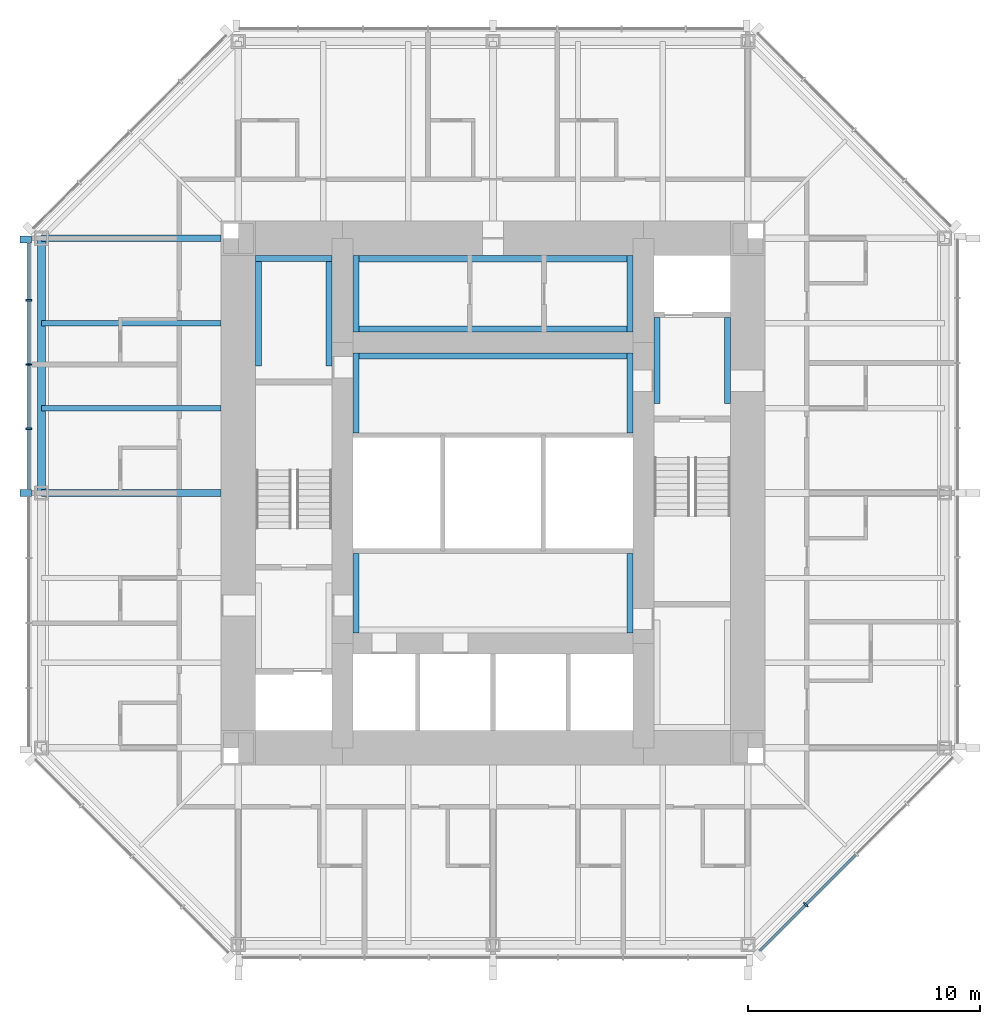
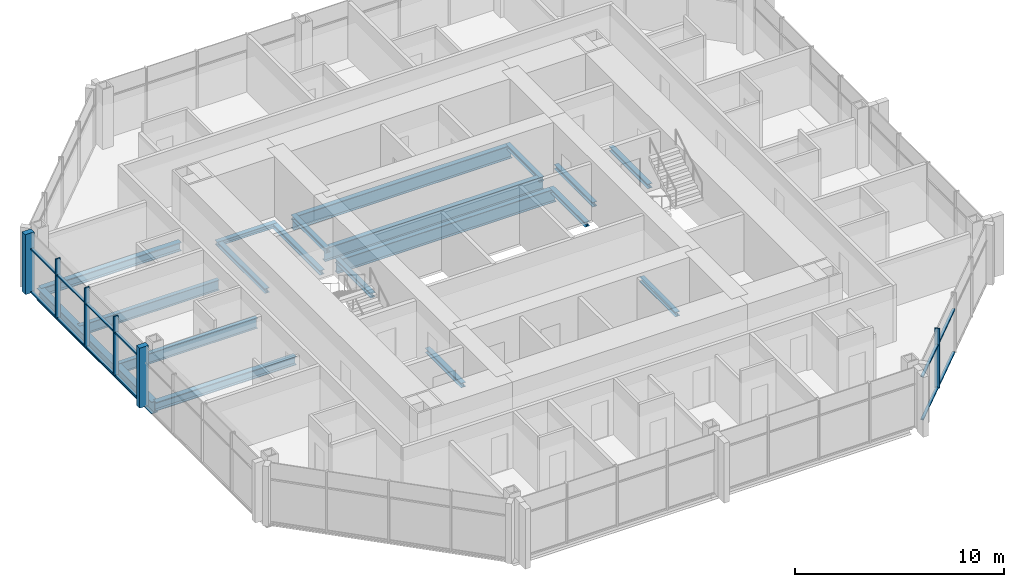
# One storey, part 3 of 12: 19 beams, 18 members, 2 elements without a shape of their own.
"""IFC4 building model written with IfcOpenShell, lengths in metres."""

import ifcopenshell
import ifcopenshell.guid

model = None  # the IFC model being written
_history = None  # IfcOwnerHistory: only IFC2X3 demands one
_inside = {}  # id of a spatial element -> (the spatial element, [elements in it])
_under = {}  # id of a project, library or spatial element -> (it, [spatial elements below it])
_declared = {}  # id of a project -> (the project, [libraries it declares])
_typed = {}  # id of a type object -> (the type object, [elements of that type])
_made_of = {}  # id of a material, layer set ... -> (it, [elements and type objects made of it])


def new_model(schema):
    """Start an empty IFC model of exactly this schema.

    Asked for "IFC4X3", IfcOpenShell would pick the latest addendum, in which some entities
    have other attributes; the version numbers below select the first issue.
    IFC2X3 requires an IfcOwnerHistory on every rooted entity: one is made here for all.
    """
    global model, _history
    if schema == "IFC4X3":
        model = ifcopenshell.file(schema_version=(4, 3, 0, 0))
    else:
        model = ifcopenshell.file(schema=schema)
    _inside.clear()
    _under.clear()
    _declared.clear()
    _typed.clear()
    _made_of.clear()
    _history = None
    if model.schema == "IFC2X3":
        org = make("IfcOrganization", Name="unknown")
        user = make(
            "IfcPersonAndOrganization",
            ThePerson=make("IfcPerson", FamilyName="unknown"),
            TheOrganization=org,
        )
        app = make(
            "IfcApplication",
            ApplicationDeveloper=org,
            Version="unknown",
            ApplicationFullName="unknown",
            ApplicationIdentifier="unknown",
        )
        _history = make(
            "IfcOwnerHistory",
            OwningUser=user,
            OwningApplication=app,
            ChangeAction="ADDED",
            CreationDate=0,
        )
    return model


def make(cls, **values):
    """One entity of the class cls with the attributes given. An attribute that is None is left unset."""
    return model.create_entity(
        cls, **{name: value for name, value in values.items() if value is not None}
    )


def rooted(cls, **values):
    """An entity with a GlobalId (a new one), such as an element, a storey or a relation."""
    return make(cls, GlobalId=ifcopenshell.guid.new(), OwnerHistory=_history, **values)


def si_unit(unit_type, name, prefix=None):
    """IfcSIUnit, for example si_unit("LENGTHUNIT", "METRE", prefix="MILLI")."""
    return make("IfcSIUnit", UnitType=unit_type, Prefix=prefix, Name=name)


def assignment(units):
    """IfcUnitAssignment: the units of a project."""
    return None if units is None else make("IfcUnitAssignment", Units=units)


def point(xyz):
    """IfcCartesianPoint."""
    return None if xyz is None else make("IfcCartesianPoint", Coordinates=xyz)


def direction(xyz):
    """IfcDirection."""
    return None if xyz is None else make("IfcDirection", DirectionRatios=xyz)


def frame(location, z_axis=None, x_axis=None):
    """IfcAxis2Placement3D, a coordinate frame: its origin and axes. An axis left out is left unset."""
    return make(
        "IfcAxis2Placement3D",
        Location=point(location),
        Axis=direction(z_axis),
        RefDirection=direction(x_axis),
    )


def frame_2d(location, x_axis=None):
    """IfcAxis2Placement2D, a coordinate frame in the plane: its origin and x axis."""
    return make(
        "IfcAxis2Placement2D", Location=point(location), RefDirection=direction(x_axis)
    )


def origin():
    """The frame at (0, 0, 0) with its axes left unset."""
    return frame((0.0, 0.0, 0.0))


def origin_2d():
    """The frame at (0, 0) in the plane with its x axis left unset."""
    return frame_2d((0.0, 0.0))


def place(relative_to, where):
    """IfcLocalPlacement: puts the frame where relative to a parent placement (None: the world)."""
    return make(
        "IfcLocalPlacement", PlacementRelTo=relative_to, RelativePlacement=where
    )


def context(
    kind, dimensions, precision=None, world=None, true_north=None, identifier=None
):
    """IfcGeometricRepresentationContext, for example the 3D "Model" context."""
    return make(
        "IfcGeometricRepresentationContext",
        ContextIdentifier=identifier,
        ContextType=kind,
        CoordinateSpaceDimension=dimensions,
        Precision=precision,
        WorldCoordinateSystem=world,
        TrueNorth=true_north,
    )


def subcontext(parent, identifier, kind, view, scale=None):
    """IfcGeometricRepresentationSubContext, for example "Body" below "Model"."""
    return make(
        "IfcGeometricRepresentationSubContext",
        ContextIdentifier=identifier,
        ContextType=kind,
        ParentContext=parent,
        TargetScale=scale,
        TargetView=view,
    )


def project(units=None, contexts=None):
    """IfcProject with its units and contexts."""
    return rooted(
        "IfcProject",
        Name="project",
        RepresentationContexts=contexts,
        UnitsInContext=assignment(units),
    )


def spatial(cls, under=None, at=None, **own):
    """A site, building, storey or space (cls), placed at a placement, below another one or the project."""
    s = rooted(cls, ObjectPlacement=at, **own)
    if under is not None:
        _under.setdefault(under.id(), (under, []))[1].append(s)
    return s


def profile(cls, at=None, kind="AREA", **sizes):
    """A parametric profile (cls). Its sizes go by their IFC names, for example OverallWidth=200.0."""
    return make(cls, ProfileType=kind, Position=at, **sizes)


def rectangle(**sizes):
    """IfcRectangleProfileDef."""
    return profile("IfcRectangleProfileDef", **sizes)


def i_section(**sizes):
    """IfcIShapeProfileDef."""
    return profile("IfcIShapeProfileDef", **sizes)


def extrude(swept, where, along, depth):
    """IfcExtrudedAreaSolid: the profile swept, set in the frame where, extruded along a direction by depth."""
    return make(
        "IfcExtrudedAreaSolid",
        SweptArea=swept,
        Position=where,
        ExtrudedDirection=direction(along),
        Depth=depth,
    )


def shape(context_of_items, identifier, shape_type, items):
    """IfcShapeRepresentation: the items that make up one representation, for example the "Body"."""
    return make(
        "IfcShapeRepresentation",
        ContextOfItems=context_of_items,
        RepresentationIdentifier=identifier,
        RepresentationType=shape_type,
        Items=items,
    )


def material(Name=None, Category=None):
    """IfcMaterial."""
    return make("IfcMaterial", Name=Name, Category=Category)


def material_profile(
    of_material, cross_section, Name=None, Category=None, Priority=None
):
    """IfcMaterialProfile: a cross section and its material."""
    return make(
        "IfcMaterialProfile",
        Name=Name,
        Material=of_material,
        Profile=cross_section,
        Priority=Priority,
        Category=Category,
    )


def profile_set(profiles, Name=None, composite=None):
    """IfcMaterialProfileSet."""
    return make(
        "IfcMaterialProfileSet",
        Name=Name,
        MaterialProfiles=profiles,
        CompositeProfile=composite,
    )


def made_of(thing, what):
    """Note that an element or type object is made of a material, layer set ...; save() writes the relation."""
    if what is not None:
        _made_of.setdefault(what.id(), (what, []))[1].append(thing)
    return thing


def type_object(cls, material=None, **own):
    """A type object (cls), such as IfcWallType, which elements share."""
    return made_of(rooted(cls, **own), material)


def element(
    cls,
    number,
    at=None,
    inside=None,
    cuts=None,
    type_object=None,
    material=None,
    context=None,
    identifier="Body",
    shape_type=None,
    held_by="IfcProductDefinitionShape",
    body=None,
    shapes=None,
    **own,
):
    """One element of the class cls, such as IfcWall. Its Tag is "e" and its number.

    at: its placement. inside: the storey or other place that contains it. cuts: it is an
    opening in that element (IfcRelVoidsElement). A single representation is given by context,
    identifier, shape_type and body (its items); several are given by shapes. held_by: the class
    of the entity that holds the representations. save() writes the other relations.
    """
    e = rooted(cls, Tag="e%d" % number, ObjectPlacement=at, **own)
    if body is not None:
        shapes = [shape(context, identifier, shape_type, body)]
    if shapes is not None:
        e.Representation = make(held_by, Representations=shapes)
    if inside is not None:
        _inside.setdefault(inside.id(), (inside, []))[1].append(e)
    if cuts is not None:
        rooted(
            "IfcRelVoidsElement", RelatingBuildingElement=cuts, RelatedOpeningElement=e
        )
    if type_object is not None:
        _typed.setdefault(type_object.id(), (type_object, []))[1].append(e)
    return made_of(e, material)


def aggregate(whole, parts):
    """IfcRelAggregates: a whole, such as a stair, and the parts it consists of."""
    return rooted("IfcRelAggregates", RelatingObject=whole, RelatedObjects=parts)


def save(model, path):
    """Write the relations noted so far, then the file.

    IfcRelAggregates (storeys below a building ...), IfcRelContainedInSpatialStructure (elements
    in a storey), IfcRelDefinesByType, IfcRelAssociatesMaterial and IfcRelDeclares: one each for
    every whole, place, type object, material and project.
    """
    for whole, parts in _under.values():
        aggregate(whole, parts)
    for where, things in _inside.values():
        rooted(
            "IfcRelContainedInSpatialStructure",
            RelatedElements=things,
            RelatingStructure=where,
        )
    for kind, things in _typed.values():
        rooted("IfcRelDefinesByType", RelatedObjects=things, RelatingType=kind)
    for what, things in _made_of.values():
        rooted("IfcRelAssociatesMaterial", RelatedObjects=things, RelatingMaterial=what)
    for by, libraries in _declared.values():
        rooted("IfcRelDeclares", RelatingContext=by, RelatedDefinitions=libraries)
    model.write(path)


model = new_model("IFC4")

# Units and contexts
model_context = context("Model", 3, precision=1e-05, world=origin(), true_north=direction((0.0, 1.0)))
body_context = subcontext(model_context, "Body", "Model", "MODEL_VIEW")
ifc_project = project(units=[si_unit("LENGTHUNIT", "METRE"), si_unit("AREAUNIT", "SQUARE_METRE"), si_unit("VOLUMEUNIT", "CUBIC_METRE"), si_unit("PLANEANGLEUNIT", "RADIAN"), si_unit("MASSUNIT", "GRAM", prefix="KILO")], contexts=[model_context])

# Site, building, storey
site_placement = place(None, origin())
site = spatial("IfcSite", under=ifc_project, at=site_placement, CompositionType="ELEMENT")
building_placement = place(site_placement, origin())
building = spatial("IfcBuilding", under=site, at=building_placement, Name="Trevanion Tower", CompositionType="ELEMENT")
storey_placement = place(building_placement, frame((0.0, 0.0, 201.199951171875)))
storey = spatial("IfcBuildingStorey", under=building, at=storey_placement, Name="L47", CompositionType="ELEMENT", Elevation=201.199951171875)

# Beams
ifc_material_1 = material(Name="Steel ASTM A992 Grade 50", Category="steel")
ifc_material_profile_1 = material_profile(ifc_material_1, i_section(OverallWidth=0.228271484375, OverallDepth=0.607177734375, WebThickness=0.01123046875, FlangeThickness=0.017333984375, at=origin_2d()), Name="W24X76")
ifc_profile_set_1 = profile_set([ifc_material_profile_1], Name="Steel ASTM A992 Grade 50")
beam_type_1 = type_object("IfcBeamType", Name="B11 W24X76", PredefinedType="BEAM", material=ifc_profile_set_1)
for number, where, z_axis, x_axis, name in (
    (1, (-11.75, 7.333251953125, -0.493408203125), (-1.0, 0.0, 0.0), (0.0, -1.0, 0.0), "B11 L47"),
    (2, (-11.75, 3.666748046875, -0.493408203125), (-1.0, 0.0, 0.0), (0.0, -1.0, 0.0), "B11 L47"),
):
    element("IfcBeam", number, at=place(storey_placement, frame(where, z_axis=z_axis, x_axis=x_axis)), inside=storey, type_object=beam_type_1, Name=name, PredefinedType="BEAM", context=body_context, shape_type="SweptSolid", body=[
        extrude(i_section(OverallWidth=0.228271484375, OverallDepth=0.607177734375, WebThickness=0.01123046875, FlangeThickness=0.017333984375, at=origin_2d()), origin(), (0.0, 0.0, 1.0), 7.75),
    ])

# Curtain wall, members
ifc_material_2 = material(Name="Aluminium and glass", Category="aluminium")
curtain_wall_type = type_object("IfcCurtainWallType", Name="CW3 curtain wall", PredefinedType="USERDEFINED", material=ifc_material_2)
curtain_wall_1_placement = place(storey_placement, origin())
curtain_wall_1 = element("IfcCurtainWall", 3, at=curtain_wall_1_placement, inside=storey, type_object=curtain_wall_type, Name="CW3 L47 4", ObjectType="UNITISED CURTAIN WALL", PredefinedType="USERDEFINED")
ifc_material_3 = material(Name="Aluminium extrusion, anodised bronze", Category="aluminium")
ifc_material_profile_2 = material_profile(ifc_material_3, rectangle(XDim=0.074951171875, YDim=0.25, at=origin_2d()), Name="CW3 mullion")
ifc_profile_set_2 = profile_set([ifc_material_profile_2], Name="Aluminium extrusion, anodised bronze")
member_type_1 = type_object("IfcMemberType", Name="CW3 mullion", PredefinedType="MULLION", material=ifc_profile_set_2)
member_1_placement = place(storey_placement, frame((-20.050048828125, 8.323486328125, -0.18994140625), z_axis=(0.0, 0.0, 1.0), x_axis=(0.0, -1.0, 0.0)))
member_1 = element("IfcMember", 4, at=member_1_placement, type_object=member_type_1, Name="CW3 mullion 2", PredefinedType="MULLION", context=body_context, shape_type="SweptSolid", body=[
    extrude(rectangle(XDim=0.074951171875, YDim=0.25, at=origin_2d()), origin(), (0.0, 0.0, 1.0), 3.5),
])
member_2_placement = place(storey_placement, frame((-20.050048828125, 5.548828125, -0.18994140625), z_axis=(0.0, 0.0, 1.0), x_axis=(0.0, -1.0, 0.0)))
member_2 = element("IfcMember", 5, at=member_2_placement, type_object=member_type_1, Name="CW3 mullion 3", PredefinedType="MULLION", context=body_context, shape_type="SweptSolid", body=[
    extrude(rectangle(XDim=0.074951171875, YDim=0.25, at=origin_2d()), origin(), (0.0, 0.0, 1.0), 3.5),
])
member_3_placement = place(storey_placement, frame((-20.050048828125, 2.7744140625, -0.18994140625), z_axis=(0.0, 0.0, 1.0), x_axis=(0.0, -1.0, 0.0)))
member_3 = element("IfcMember", 6, at=member_3_placement, type_object=member_type_1, Name="CW3 mullion 4", PredefinedType="MULLION", context=body_context, shape_type="SweptSolid", body=[
    extrude(rectangle(XDim=0.074951171875, YDim=0.25, at=origin_2d()), origin(), (0.0, 0.0, 1.0), 3.5),
])

# Curtain wall, member
curtain_wall_2_placement = place(storey_placement, origin())
curtain_wall_2 = element("IfcCurtainWall", 7, at=curtain_wall_2_placement, inside=storey, type_object=curtain_wall_type, Name="CW3 L47 7", ObjectType="UNITISED CURTAIN WALL", PredefinedType="USERDEFINED")
member_4_placement = place(storey_placement, frame((13.502197265625, -17.775390625, -0.18994140625), z_axis=(0.0, 0.0, 1.0), x_axis=(0.707106781187, 0.707106781187, 0.0)))
member_4 = element("IfcMember", 8, at=member_4_placement, type_object=member_type_1, Name="CW3 mullion 2", PredefinedType="MULLION", context=body_context, shape_type="SweptSolid", body=[
    extrude(rectangle(XDim=0.074951171875, YDim=0.25, at=origin_2d()), origin(), (0.0, 0.0, 1.0), 3.5),
])

# Member
ifc_material_4 = material(Name="Aluminium extrusion, anodised bronze", Category="aluminium")
ifc_material_profile_3 = material_profile(ifc_material_4, rectangle(XDim=0.300048828125, YDim=0.5, at=origin_2d()), Name="CW3 pier mullion")
ifc_profile_set_3 = profile_set([ifc_material_profile_3], Name="Aluminium extrusion, anodised bronze")
member_type_2 = type_object("IfcMemberType", Name="CW3 pier mullion", PredefinedType="MULLION", material=ifc_profile_set_3)
member_5_placement = place(storey_placement, frame((-20.175048828125, 10.94775390625, -0.18994140625), z_axis=(0.0, 0.0, 1.0), x_axis=(0.0, -1.0, 0.0)))
member_5 = element("IfcMember", 9, at=member_5_placement, type_object=member_type_2, Name="CW3 pier mullion 1", PredefinedType="MULLION", context=body_context, shape_type="SweptSolid", body=[
    extrude(rectangle(XDim=0.300048828125, YDim=0.5, at=origin_2d()), origin(), (0.0, 0.0, 1.0), 3.5),
])

member_6_placement = place(storey_placement, frame((-20.175048828125, 0.0, -0.18994140625), z_axis=(0.0, 0.0, 1.0), x_axis=(0.0, -1.0, 0.0)))
member_6 = element("IfcMember", 10, at=member_6_placement, type_object=member_type_2, Name="CW3 pier mullion 5", PredefinedType="MULLION", context=body_context, shape_type="SweptSolid", body=[
    extrude(rectangle(XDim=0.300048828125, YDim=0.5, at=origin_2d()), origin(), (0.0, 0.0, 1.0), 3.5),
])

ifc_material_5 = material(Name="Aluminium extrusion, anodised bronze", Category="aluminium")
ifc_material_profile_4 = material_profile(ifc_material_5, rectangle(XDim=0.14990234375, YDim=0.074951171875, at=origin_2d()), Name="CW3 transom")
ifc_profile_set_4 = profile_set([ifc_material_profile_4], Name="Aluminium extrusion, anodised bronze")
member_type_3 = type_object("IfcMemberType", Name="CW3 transom", PredefinedType="USERDEFINED", material=ifc_profile_set_4)
member_7_placement = place(storey_placement, frame((-20.050048828125, 10.7978515625, -0.15234375), z_axis=(0.0, -1.0, 0.0), x_axis=(1.0, 0.0, 0.0)))
member_7 = element("IfcMember", 11, at=member_7_placement, type_object=member_type_3, Name="CW3 transom 1.1", ObjectType="TRANSOM", PredefinedType="USERDEFINED", context=body_context, shape_type="SweptSolid", body=[
    extrude(rectangle(XDim=0.14990234375, YDim=0.074951171875, at=origin_2d()), origin(), (0.0, 0.0, 1.0), 2.43701171875),
])

member_8_placement = place(storey_placement, frame((-20.050048828125, 10.7978515625, 2.360107421875), z_axis=(0.0, -1.0, 0.0), x_axis=(1.0, 0.0, 0.0)))
member_8 = element("IfcMember", 12, at=member_8_placement, type_object=member_type_3, Name="CW3 transom 1.2", ObjectType="TRANSOM", PredefinedType="USERDEFINED", context=body_context, shape_type="SweptSolid", body=[
    extrude(rectangle(XDim=0.14990234375, YDim=0.074951171875, at=origin_2d()), origin(), (0.0, 0.0, 1.0), 2.43701171875),
])

member_9_placement = place(storey_placement, frame((-20.050048828125, 8.285888671875, -0.15234375), z_axis=(0.0, -1.0, 0.0), x_axis=(1.0, 0.0, 0.0)))
member_9 = element("IfcMember", 13, at=member_9_placement, type_object=member_type_3, Name="CW3 transom 2.1", ObjectType="TRANSOM", PredefinedType="USERDEFINED", context=body_context, shape_type="SweptSolid", body=[
    extrude(rectangle(XDim=0.14990234375, YDim=0.074951171875, at=origin_2d()), origin(), (0.0, 0.0, 1.0), 2.699462890625),
])

member_10_placement = place(storey_placement, frame((-20.050048828125, 8.285888671875, 2.360107421875), z_axis=(0.0, -1.0, 0.0), x_axis=(1.0, 0.0, 0.0)))
member_10 = element("IfcMember", 14, at=member_10_placement, type_object=member_type_3, Name="CW3 transom 2.2", ObjectType="TRANSOM", PredefinedType="USERDEFINED", context=body_context, shape_type="SweptSolid", body=[
    extrude(rectangle(XDim=0.14990234375, YDim=0.074951171875, at=origin_2d()), origin(), (0.0, 0.0, 1.0), 2.699462890625),
])

member_11_placement = place(storey_placement, frame((-20.050048828125, 5.511474609375, -0.15234375), z_axis=(0.0, -1.0, 0.0), x_axis=(1.0, 0.0, 0.0)))
member_11 = element("IfcMember", 15, at=member_11_placement, type_object=member_type_3, Name="CW3 transom 3.1", ObjectType="TRANSOM", PredefinedType="USERDEFINED", context=body_context, shape_type="SweptSolid", body=[
    extrude(rectangle(XDim=0.14990234375, YDim=0.074951171875, at=origin_2d()), origin(), (0.0, 0.0, 1.0), 2.699462890625),
])

member_12_placement = place(storey_placement, frame((-20.050048828125, 5.511474609375, 2.360107421875), z_axis=(0.0, -1.0, 0.0), x_axis=(1.0, 0.0, 0.0)))
member_12 = element("IfcMember", 16, at=member_12_placement, type_object=member_type_3, Name="CW3 transom 3.2", ObjectType="TRANSOM", PredefinedType="USERDEFINED", context=body_context, shape_type="SweptSolid", body=[
    extrude(rectangle(XDim=0.14990234375, YDim=0.074951171875, at=origin_2d()), origin(), (0.0, 0.0, 1.0), 2.699462890625),
])

member_13_placement = place(storey_placement, frame((-20.050048828125, 2.737060546875, -0.15234375), z_axis=(0.0, -1.0, 0.0), x_axis=(1.0, 0.0, 0.0)))
member_13 = element("IfcMember", 17, at=member_13_placement, type_object=member_type_3, Name="CW3 transom 4.1", ObjectType="TRANSOM", PredefinedType="USERDEFINED", context=body_context, shape_type="SweptSolid", body=[
    extrude(rectangle(XDim=0.14990234375, YDim=0.074951171875, at=origin_2d()), origin(), (0.0, 0.0, 1.0), 2.587158203125),
])

member_14_placement = place(storey_placement, frame((-20.050048828125, 2.737060546875, 2.360107421875), z_axis=(0.0, -1.0, 0.0), x_axis=(1.0, 0.0, 0.0)))
member_14 = element("IfcMember", 18, at=member_14_placement, type_object=member_type_3, Name="CW3 transom 4.2", ObjectType="TRANSOM", PredefinedType="USERDEFINED", context=body_context, shape_type="SweptSolid", body=[
    extrude(rectangle(XDim=0.14990234375, YDim=0.074951171875, at=origin_2d()), origin(), (0.0, 0.0, 1.0), 2.587158203125),
])

aggregate(curtain_wall_1, [member_5, member_1, member_2, member_3, member_6, member_7, member_8, member_9, member_10, member_11, member_12, member_13, member_14])

member_15_placement = place(storey_placement, frame((11.531982421875, -19.745849609375, -0.15234375), z_axis=(0.707106781187, 0.707106781187, 0.0), x_axis=(-0.707106781187, 0.707106781187, 0.0)))
member_15 = element("IfcMember", 19, at=member_15_placement, type_object=member_type_3, Name="CW3 transom 1.1", ObjectType="TRANSOM", PredefinedType="USERDEFINED", context=body_context, shape_type="SweptSolid", body=[
    extrude(rectangle(XDim=0.14990234375, YDim=0.074951171875, at=origin_2d()), origin(), (0.0, 0.0, 1.0), 2.7490234375),
])

member_16_placement = place(storey_placement, frame((11.531982421875, -19.745849609375, 2.360107421875), z_axis=(0.707106781187, 0.707106781187, 0.0), x_axis=(-0.707106781187, 0.707106781187, 0.0)))
member_16 = element("IfcMember", 20, at=member_16_placement, type_object=member_type_3, Name="CW3 transom 1.2", ObjectType="TRANSOM", PredefinedType="USERDEFINED", context=body_context, shape_type="SweptSolid", body=[
    extrude(rectangle(XDim=0.14990234375, YDim=0.074951171875, at=origin_2d()), origin(), (0.0, 0.0, 1.0), 2.7490234375),
])

member_17_placement = place(storey_placement, frame((13.52880859375, -17.7490234375, -0.15234375), z_axis=(0.707106781187, 0.707106781187, 0.0), x_axis=(-0.707106781187, 0.707106781187, 0.0)))
member_17 = element("IfcMember", 21, at=member_17_placement, type_object=member_type_3, Name="CW3 transom 2.1", ObjectType="TRANSOM", PredefinedType="USERDEFINED", context=body_context, shape_type="SweptSolid", body=[
    extrude(rectangle(XDim=0.14990234375, YDim=0.074951171875, at=origin_2d()), origin(), (0.0, 0.0, 1.0), 3.01171875),
])

member_18_placement = place(storey_placement, frame((13.52880859375, -17.7490234375, 2.360107421875), z_axis=(0.707106781187, 0.707106781187, 0.0), x_axis=(-0.707106781187, 0.707106781187, 0.0)))
member_18 = element("IfcMember", 22, at=member_18_placement, type_object=member_type_3, Name="CW3 transom 2.2", ObjectType="TRANSOM", PredefinedType="USERDEFINED", context=body_context, shape_type="SweptSolid", body=[
    extrude(rectangle(XDim=0.14990234375, YDim=0.074951171875, at=origin_2d()), origin(), (0.0, 0.0, 1.0), 3.01171875),
])

aggregate(curtain_wall_2, [member_4, member_15, member_16, member_17, member_18])

# Beams
ifc_material_6 = material(Name="Steel ASTM A992 Grade 50", Category="steel")
ifc_material_profile_5 = material_profile(ifc_material_6, i_section(OverallWidth=0.28955078125, OverallDepth=0.508056640625, WebThickness=0.022705078125, FlangeThickness=0.040283203125, at=origin_2d()), Name="W18X175")
ifc_profile_set_5 = profile_set([ifc_material_profile_5], Name="Steel ASTM A992 Grade 50")
beam_type_2 = type_object("IfcBeamType", Name="G6 W18X175", PredefinedType="BEAM", material=ifc_profile_set_5)
for number, where, z_axis, x_axis, name in (
    (23, (-11.75, 11.0, -0.44384765625), (-1.0, 0.0, 0.0), (0.0, -1.0, 0.0), "G6 L47"),
    (24, (-11.75, 0.0, -0.44384765625), (-1.0, 0.0, 0.0), (0.0, -1.0, 0.0), "G6 L47"),
):
    element("IfcBeam", number, at=place(storey_placement, frame(where, z_axis=z_axis, x_axis=x_axis)), inside=storey, type_object=beam_type_2, Name=name, PredefinedType="BEAM", context=body_context, shape_type="SweptSolid", body=[
        extrude(i_section(OverallWidth=0.28955078125, OverallDepth=0.508056640625, WebThickness=0.022705078125, FlangeThickness=0.040283203125, at=origin_2d()), origin(), (0.0, 0.0, 1.0), 7.75),
    ])
ifc_material_7 = material(Name="Steel ASTM A992 Grade 50", Category="steel")
ifc_material_profile_6 = material_profile(ifc_material_7, i_section(OverallWidth=0.256591796875, OverallDepth=0.26416015625, WebThickness=0.011962890625, FlangeThickness=0.01953125, at=origin_2d()), Name="W10X68")
ifc_profile_set_6 = profile_set([ifc_material_profile_6], Name="Steel ASTM A992 Grade 50")
beam_type_3 = type_object("IfcBeamType", Name="LB1 W10X68", PredefinedType="BEAM", material=ifc_profile_set_6)
for number, where, z_axis, x_axis, name in (
    (25, (-5.921630859375, 2.60009765625, -0.33203125), (0.0, 1.0, 0.0), (-1.0, 0.0, 0.0), "LB1 L47"),
    (26, (5.921630859375, 2.60009765625, -0.33203125), (0.0, 1.0, 0.0), (-1.0, 0.0, 0.0), "LB1 L47"),
    (27, (-5.921630859375, -6.050048828125, -0.33203125), (0.0, 1.0, 0.0), (-1.0, 0.0, 0.0), "LB1 L47"),
    (28, (5.921630859375, -6.050048828125, -0.33203125), (0.0, 1.0, 0.0), (-1.0, 0.0, 0.0), "LB1 L47"),
):
    element("IfcBeam", number, at=place(storey_placement, frame(where, z_axis=z_axis, x_axis=x_axis)), inside=storey, type_object=beam_type_3, Name=name, PredefinedType="BEAM", context=body_context, shape_type="SweptSolid", body=[
        extrude(i_section(OverallWidth=0.256591796875, OverallDepth=0.26416015625, WebThickness=0.011962890625, FlangeThickness=0.01953125, at=origin_2d()), origin(), (0.0, 0.0, 1.0), 3.449951171875),
    ])
for number, where, z_axis, x_axis, name in (
    (29, (7.078369140625, 3.875, -0.33203125), (0.0, 1.0, 0.0), (-1.0, 0.0, 0.0), "LB1 L47"),
    (30, (10.12158203125, 3.875, -0.33203125), (0.0, 1.0, 0.0), (-1.0, 0.0, 0.0), "LB1 L47"),
):
    element("IfcBeam", number, at=place(storey_placement, frame(where, z_axis=z_axis, x_axis=x_axis)), inside=storey, type_object=beam_type_3, Name=name, PredefinedType="BEAM", context=body_context, shape_type="SweptSolid", body=[
        extrude(i_section(OverallWidth=0.256591796875, OverallDepth=0.26416015625, WebThickness=0.011962890625, FlangeThickness=0.01953125, at=origin_2d()), origin(), (0.0, 0.0, 1.0), 3.699951171875),
    ])
for number, where, z_axis, x_axis, name in (
    (31, (-10.12158203125, 5.47509765625, -0.33203125), (0.0, 1.0, 0.0), (-1.0, 0.0, 0.0), "LB1 L47"),
    (32, (-7.078369140625, 5.47509765625, -0.33203125), (0.0, 1.0, 0.0), (-1.0, 0.0, 0.0), "LB1 L47"),
):
    element("IfcBeam", number, at=place(storey_placement, frame(where, z_axis=z_axis, x_axis=x_axis)), inside=storey, type_object=beam_type_3, Name=name, PredefinedType="BEAM", context=body_context, shape_type="SweptSolid", body=[
        extrude(i_section(OverallWidth=0.256591796875, OverallDepth=0.26416015625, WebThickness=0.011962890625, FlangeThickness=0.01953125, at=origin_2d()), origin(), (0.0, 0.0, 1.0), 4.77490234375),
    ])
for number, where, z_axis, x_axis, name in (
    (33, (-10.25, 10.12158203125, -0.33203125), (1.0, 0.0, 0.0), (0.0, 1.0, 0.0), "LB1 L47"),
    (34, (-5.921630859375, 6.949951171875, -0.33203125), (0.0, 1.0, 0.0), (-1.0, 0.0, 0.0), "LB1 L47"),
    (35, (5.921630859375, 6.949951171875, -0.33203125), (0.0, 1.0, 0.0), (-1.0, 0.0, 0.0), "LB1 L47"),
):
    element("IfcBeam", number, at=place(storey_placement, frame(where, z_axis=z_axis, x_axis=x_axis)), inside=storey, type_object=beam_type_3, Name=name, PredefinedType="BEAM", context=body_context, shape_type="SweptSolid", body=[
        extrude(i_section(OverallWidth=0.256591796875, OverallDepth=0.26416015625, WebThickness=0.011962890625, FlangeThickness=0.01953125, at=origin_2d()), origin(), (0.0, 0.0, 1.0), 3.300048828125),
    ])
ifc_material_8 = material(Name="Steel ASTM A992 Grade 50", Category="steel")
ifc_material_profile_7 = material_profile(ifc_material_8, i_section(OverallWidth=0.2666015625, OverallDepth=0.76953125, WebThickness=0.015625, FlangeThickness=0.025390625, at=origin_2d()), Name="W30X132")
ifc_profile_set_7 = profile_set([ifc_material_profile_7], Name="Steel ASTM A992 Grade 50")
beam_type_4 = type_object("IfcBeamType", Name="LB3 W30X132", PredefinedType="BEAM", material=ifc_profile_set_7)
for number, where, z_axis, x_axis, name in (
    (36, (-6.050048828125, 5.91650390625, -0.584716796875), (1.0, 0.0, 0.0), (0.0, 1.0, 0.0), "LB3 L47"),
    (37, (-6.050048828125, 7.08349609375, -0.584716796875), (1.0, 0.0, 0.0), (0.0, 1.0, 0.0), "LB3 L47"),
    (38, (-6.050048828125, 10.11669921875, -0.584716796875), (1.0, 0.0, 0.0), (0.0, 1.0, 0.0), "LB3 L47"),
):
    element("IfcBeam", number, at=place(storey_placement, frame(where, z_axis=z_axis, x_axis=x_axis)), inside=storey, type_object=beam_type_4, Name=name, PredefinedType="BEAM", context=body_context, shape_type="SweptSolid", body=[
        extrude(i_section(OverallWidth=0.2666015625, OverallDepth=0.76953125, WebThickness=0.015625, FlangeThickness=0.025390625, at=origin_2d()), origin(), (0.0, 0.0, 1.0), 12.10009765625),
    ])
ifc_material_9 = material(Name="Steel ASTM A992 Grade 50", Category="steel")
ifc_material_profile_8 = material_profile(ifc_material_9, i_section(OverallWidth=0.355712890625, OverallDepth=0.696044921875, WebThickness=0.015380859375, FlangeThickness=0.024658203125, at=origin_2d()), Name="W27X146")
ifc_profile_set_8 = profile_set([ifc_material_profile_8], Name="Steel ASTM A992 Grade 50")
beam_type_5 = type_object("IfcBeamType", Name="SB8 W27X146", PredefinedType="SPANDREL", material=ifc_profile_set_8)
beam_placement = place(storey_placement, frame((-19.5, 11.0, -0.537841796875), z_axis=(0.0, -1.0, 0.0), x_axis=(1.0, 0.0, 0.0)))
element("IfcBeam", 39, at=beam_placement, inside=storey, type_object=beam_type_5, Name="SB8 L47", PredefinedType="SPANDREL", context=body_context, shape_type="SweptSolid", body=[
    extrude(i_section(OverallWidth=0.355712890625, OverallDepth=0.696044921875, WebThickness=0.015380859375, FlangeThickness=0.024658203125, at=origin_2d()), origin(), (0.0, 0.0, 1.0), 11.0),
])

save(model, "model.ifc")
